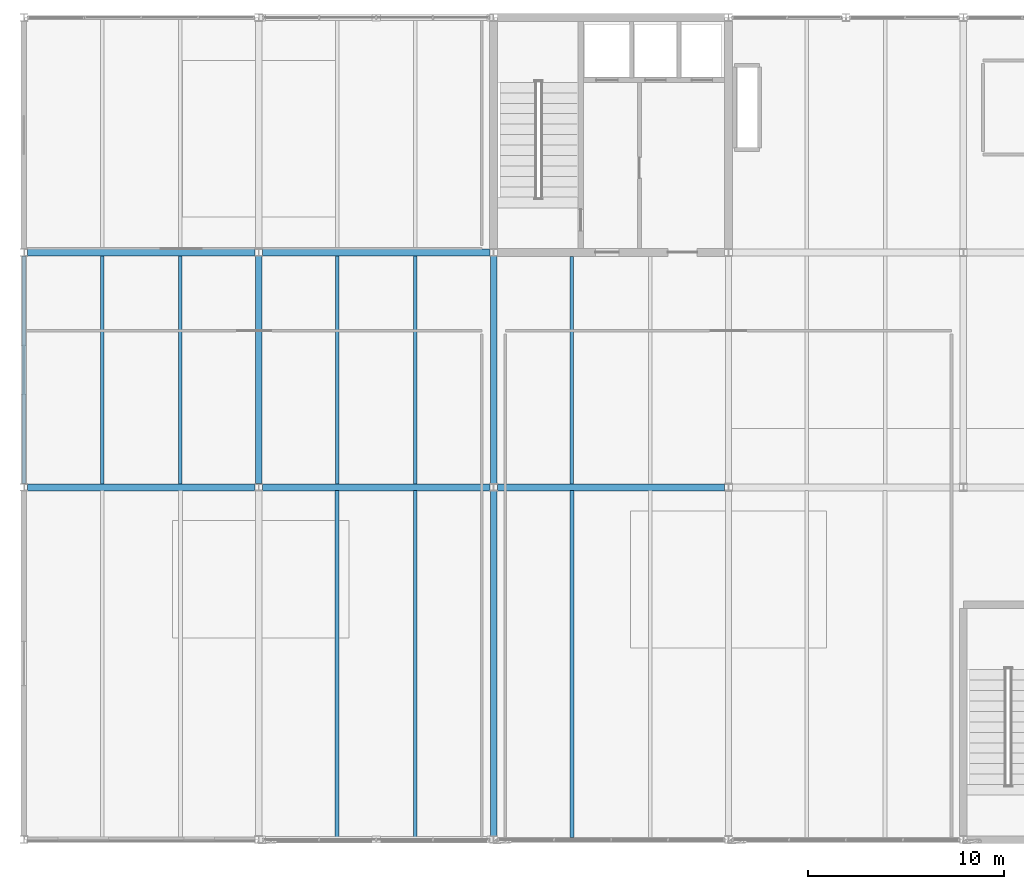
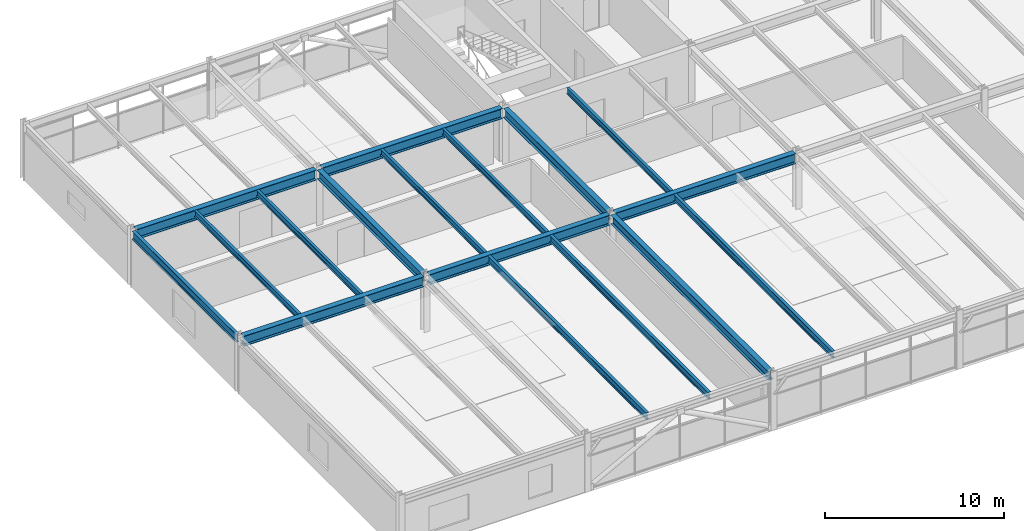
# One storey, part 12 of 51: 17 beams.
"""IFC4 building model written with IfcOpenShell, lengths in metres."""

from ifc_helpers import new_model, si_unit, direction, frame, origin, origin_2d, place, context, subcontext, project, spatial, i_section, extrude, material, material_profile, profile_set, type_object, element, save


model = new_model("IFC4")

# Units and contexts
model_context = context("Model", 3, precision=1e-05, world=origin(), true_north=direction((0.0, 1.0)))
body_context = subcontext(model_context, "Body", "Model", "MODEL_VIEW")
ifc_project = project(units=[si_unit("LENGTHUNIT", "METRE"), si_unit("AREAUNIT", "SQUARE_METRE"), si_unit("VOLUMEUNIT", "CUBIC_METRE"), si_unit("PLANEANGLEUNIT", "RADIAN"), si_unit("MASSUNIT", "GRAM", prefix="KILO")], contexts=[model_context])

# Site, building, storey
site_placement = place(None, origin())
site = spatial("IfcSite", under=ifc_project, at=site_placement, CompositionType="ELEMENT")
building_placement = place(site_placement, origin())
building = spatial("IfcBuilding", under=site, at=building_placement, Name="Girod Span Mobility Hub", CompositionType="ELEMENT")
storey_placement = place(building_placement, frame((0.0, 0.0, 41.60009765625)))
storey = spatial("IfcBuildingStorey", under=building, at=storey_placement, Name="L10", CompositionType="ELEMENT", Elevation=41.60009765625)

# Beams
ifc_material_1 = material(Name="Steel A992 Grade 50", Category="steel")
ifc_material_profile_1 = material_profile(ifc_material_1, i_section(OverallWidth=0.178955078125, OverallDepth=0.409912109375, WebThickness=0.0087890625, FlangeThickness=0.014404296875, FilletRadius=0.012939453125, at=origin_2d()), Name="W16X45")
ifc_profile_set_1 = profile_set([ifc_material_profile_1], Name="Steel A992 Grade 50")
beam_type_1 = type_object("IfcBeamType", Name="BM-STL-W16X45", PredefinedType="BEAM", material=ifc_profile_set_1)
for number, where, z_axis, x_axis, name in (
    (1, (28.0, 45.174560546875, 3.619873046875), (0.0, 1.0, 0.0), (-1.0, 0.0, 0.0), "Composite Floorbeam 3/D-1 L10"),
    (2, (32.0, 45.174560546875, 3.619873046875), (0.0, 1.0, 0.0), (-1.0, 0.0, 0.0), "Composite Floorbeam 3/D-2 L10"),
    (3, (40.0, 45.174560546875, 3.619873046875), (0.0, 1.0, 0.0), (-1.0, 0.0, 0.0), "Composite Floorbeam 4/D-1 L10"),
    (4, (44.0, 45.174560546875, 3.619873046875), (0.0, 1.0, 0.0), (-1.0, 0.0, 0.0), "Composite Floorbeam 4/D-2 L10"),
):
    element("IfcBeam", number, at=place(storey_placement, frame(where, z_axis=z_axis, x_axis=x_axis)), inside=storey, type_object=beam_type_1, Name=name, PredefinedType="BEAM", context=body_context, shape_type="SweptSolid", body=[
        extrude(i_section(OverallWidth=0.178955078125, OverallDepth=0.409912109375, WebThickness=0.0087890625, FlangeThickness=0.014404296875, FilletRadius=0.012939453125, at=origin_2d()), origin(), (0.0, 0.0, 1.0), 11.65087890625),
    ])
beam_1_placement = place(storey_placement, frame((52.0, 45.174560546875, 3.619873046875), z_axis=(0.0, 1.0, 0.0), x_axis=(-1.0, 0.0, 0.0)))
element("IfcBeam", 5, at=beam_1_placement, inside=storey, type_object=beam_type_1, Name="Composite Floorbeam 5/D-1 L10", PredefinedType="BEAM", context=body_context, shape_type="SweptSolid", body=[
    extrude(i_section(OverallWidth=0.178955078125, OverallDepth=0.409912109375, WebThickness=0.0087890625, FlangeThickness=0.014404296875, FilletRadius=0.012939453125, at=origin_2d()), origin(), (0.0, 0.0, 1.0), 11.62841796875),
])
ifc_material_2 = material(Name="Steel A992 Grade 50", Category="steel")
ifc_material_profile_2 = material_profile(ifc_material_2, i_section(OverallWidth=0.19189453125, OverallDepth=0.462890625, WebThickness=0.010498046875, FlangeThickness=0.017578125, FilletRadius=0.013916015625, at=origin_2d()), Name="W18X60")
ifc_profile_set_2 = profile_set([ifc_material_profile_2], Name="Steel A992 Grade 50")
beam_type_2 = type_object("IfcBeamType", Name="BM-STL-W18X60", PredefinedType="BEAM", material=ifc_profile_set_2)
for number, where, z_axis, x_axis, name in (
    (6, (40.0, 27.10302734375, 3.593505859375), (0.0, 1.0, 0.0), (-1.0, 0.0, 0.0), "Composite Floorbeam 4/C-1 L10"),
    (7, (44.0, 27.10302734375, 3.593505859375), (0.0, 1.0, 0.0), (-1.0, 0.0, 0.0), "Composite Floorbeam 4/C-2 L10"),
    (8, (52.0, 27.10302734375, 3.593505859375), (0.0, 1.0, 0.0), (-1.0, 0.0, 0.0), "Composite Floorbeam 5/C-1 L10"),
):
    element("IfcBeam", number, at=place(storey_placement, frame(where, z_axis=z_axis, x_axis=x_axis)), inside=storey, type_object=beam_type_2, Name=name, PredefinedType="BEAM", context=body_context, shape_type="SweptSolid", body=[
        extrude(i_section(OverallWidth=0.19189453125, OverallDepth=0.462890625, WebThickness=0.010498046875, FlangeThickness=0.017578125, FilletRadius=0.013916015625, at=origin_2d()), origin(), (0.0, 0.0, 1.0), 17.722412109375),
    ])
ifc_material_3 = material(Name="Steel A992 Grade 50", Category="steel")
ifc_material_profile_3 = material_profile(ifc_material_3, i_section(OverallWidth=0.2119140625, OverallDepth=0.5439453125, WebThickness=0.01318359375, FlangeThickness=0.021240234375, FilletRadius=0.014892578125, at=origin_2d()), Name="W21X83")
ifc_profile_set_3 = profile_set([ifc_material_profile_3], Name="Steel A992 Grade 50")
beam_type_3 = type_object("IfcBeamType", Name="BM-STL-W21X83", PredefinedType="SPANDREL", material=ifc_profile_set_3)
beam_2_placement = place(storey_placement, frame((24.0, 45.1845703125, 3.552978515625), z_axis=(0.0, 1.0, 0.0), x_axis=(-1.0, 0.0, 0.0)))
element("IfcBeam", 9, at=beam_2_placement, inside=storey, type_object=beam_type_3, Name="Tie Girder 3/D-E L10", PredefinedType="SPANDREL", context=body_context, shape_type="SweptSolid", body=[
    extrude(i_section(OverallWidth=0.2119140625, OverallDepth=0.5439453125, WebThickness=0.01318359375, FlangeThickness=0.021240234375, FilletRadius=0.014892578125, at=origin_2d()), origin(), (0.0, 0.0, 1.0), 11.630859375),
])
ifc_material_4 = material(Name="Steel A992 Grade 50", Category="steel")
ifc_material_profile_4 = material_profile(ifc_material_4, i_section(OverallWidth=0.323974609375, OverallDepth=0.611083984375, WebThickness=0.0126953125, FlangeThickness=0.01904296875, FilletRadius=0.014892578125, at=origin_2d()), Name="W24X104")
ifc_profile_set_4 = profile_set([ifc_material_profile_4], Name="Steel A992 Grade 50")
beam_type_4 = type_object("IfcBeamType", Name="BM-STL-W24X104", PredefinedType="BEAM", material=ifc_profile_set_4)
beam_3_placement = place(storey_placement, frame((36.0, 45.1845703125, 3.519287109375), z_axis=(0.0, 1.0, 0.0), x_axis=(-1.0, 0.0, 0.0)))
element("IfcBeam", 10, at=beam_3_placement, inside=storey, type_object=beam_type_4, Name="Tie Girder 4/D-E L10", PredefinedType="BEAM", context=body_context, shape_type="SweptSolid", body=[
    extrude(i_section(OverallWidth=0.323974609375, OverallDepth=0.611083984375, WebThickness=0.0126953125, FlangeThickness=0.01904296875, FilletRadius=0.014892578125, at=origin_2d()), origin(), (0.0, 0.0, 1.0), 11.630859375),
])
beam_4_placement = place(storey_placement, frame((48.0, 27.1845703125, 3.519287109375), z_axis=(0.0, 1.0, 0.0), x_axis=(-1.0, 0.0, 0.0)))
element("IfcBeam", 11, at=beam_4_placement, inside=storey, type_object=beam_type_4, Name="Tie Girder 5/C-D L10", PredefinedType="BEAM", context=body_context, shape_type="SweptSolid", body=[
    extrude(i_section(OverallWidth=0.323974609375, OverallDepth=0.611083984375, WebThickness=0.0126953125, FlangeThickness=0.01904296875, FilletRadius=0.014892578125, at=origin_2d()), origin(), (0.0, 0.0, 1.0), 17.621826171875),
])
beam_5_placement = place(storey_placement, frame((48.0, 45.193603515625, 3.519287109375), z_axis=(0.0, 1.0, 0.0), x_axis=(-1.0, 0.0, 0.0)))
element("IfcBeam", 12, at=beam_5_placement, inside=storey, type_object=beam_type_4, Name="Tie Girder 5/D-E L10", PredefinedType="BEAM", context=body_context, shape_type="SweptSolid", body=[
    extrude(i_section(OverallWidth=0.323974609375, OverallDepth=0.611083984375, WebThickness=0.0126953125, FlangeThickness=0.01904296875, FilletRadius=0.014892578125, at=origin_2d()), origin(), (0.0, 0.0, 1.0), 11.61279296875),
])
ifc_material_5 = material(Name="Steel A992 Grade 50", Category="steel")
ifc_material_profile_5 = material_profile(ifc_material_5, i_section(OverallWidth=0.35498046875, OverallDepth=0.695068359375, WebThickness=0.015380859375, FlangeThickness=0.02490234375, FilletRadius=0.01806640625, at=origin_2d()), Name="W27X146")
ifc_profile_set_5 = profile_set([ifc_material_profile_5], Name="Steel A992 Grade 50")
beam_type_5 = type_object("IfcBeamType", Name="BM-STL-W27X146", PredefinedType="BEAM", material=ifc_profile_set_5)
beam_6_placement = place(storey_placement, frame((24.194091796875, 45.0, 3.477294921875), z_axis=(1.0, 0.0, 0.0), x_axis=(0.0, 1.0, 0.0)))
element("IfcBeam", 13, at=beam_6_placement, inside=storey, type_object=beam_type_5, Name="Girder 3-4/D L10", PredefinedType="BEAM", context=body_context, shape_type="SweptSolid", body=[
    extrude(i_section(OverallWidth=0.35498046875, OverallDepth=0.695068359375, WebThickness=0.015380859375, FlangeThickness=0.02490234375, FilletRadius=0.01806640625, at=origin_2d()), origin(), (0.0, 0.0, 1.0), 11.61181640625),
])
beam_7_placement = place(storey_placement, frame((36.194091796875, 45.0, 3.477294921875), z_axis=(1.0, 0.0, 0.0), x_axis=(0.0, 1.0, 0.0)))
element("IfcBeam", 14, at=beam_7_placement, inside=storey, type_object=beam_type_5, Name="Girder 4-5/D L10", PredefinedType="BEAM", context=body_context, shape_type="SweptSolid", body=[
    extrude(i_section(OverallWidth=0.35498046875, OverallDepth=0.695068359375, WebThickness=0.015380859375, FlangeThickness=0.02490234375, FilletRadius=0.01806640625, at=origin_2d()), origin(), (0.0, 0.0, 1.0), 11.609375),
])
beam_8_placement = place(storey_placement, frame((48.196533203125, 45.0, 3.477294921875), z_axis=(1.0, 0.0, 0.0), x_axis=(0.0, 1.0, 0.0)))
element("IfcBeam", 15, at=beam_8_placement, inside=storey, type_object=beam_type_5, Name="Girder 5-6/D L10", PredefinedType="BEAM", context=body_context, shape_type="SweptSolid", body=[
    extrude(i_section(OverallWidth=0.35498046875, OverallDepth=0.695068359375, WebThickness=0.015380859375, FlangeThickness=0.02490234375, FilletRadius=0.01806640625, at=origin_2d()), origin(), (0.0, 0.0, 1.0), 11.60693359375),
])
beam_9_placement = place(storey_placement, frame((24.194091796875, 57.0, 3.477294921875), z_axis=(1.0, 0.0, 0.0), x_axis=(0.0, 1.0, 0.0)))
element("IfcBeam", 16, at=beam_9_placement, inside=storey, type_object=beam_type_5, Name="Girder 3-4/E L10", PredefinedType="BEAM", context=body_context, shape_type="SweptSolid", body=[
    extrude(i_section(OverallWidth=0.35498046875, OverallDepth=0.695068359375, WebThickness=0.015380859375, FlangeThickness=0.02490234375, FilletRadius=0.01806640625, at=origin_2d()), origin(), (0.0, 0.0, 1.0), 11.61181640625),
])
beam_10_placement = place(storey_placement, frame((36.194091796875, 57.0, 3.477294921875), z_axis=(1.0, 0.0, 0.0), x_axis=(0.0, 1.0, 0.0)))
element("IfcBeam", 17, at=beam_10_placement, inside=storey, type_object=beam_type_5, Name="Girder 4-5/E L10", PredefinedType="BEAM", context=body_context, shape_type="SweptSolid", body=[
    extrude(i_section(OverallWidth=0.35498046875, OverallDepth=0.695068359375, WebThickness=0.015380859375, FlangeThickness=0.02490234375, FilletRadius=0.01806640625, at=origin_2d()), origin(), (0.0, 0.0, 1.0), 11.609375),
])

save(model, "model.ifc")
